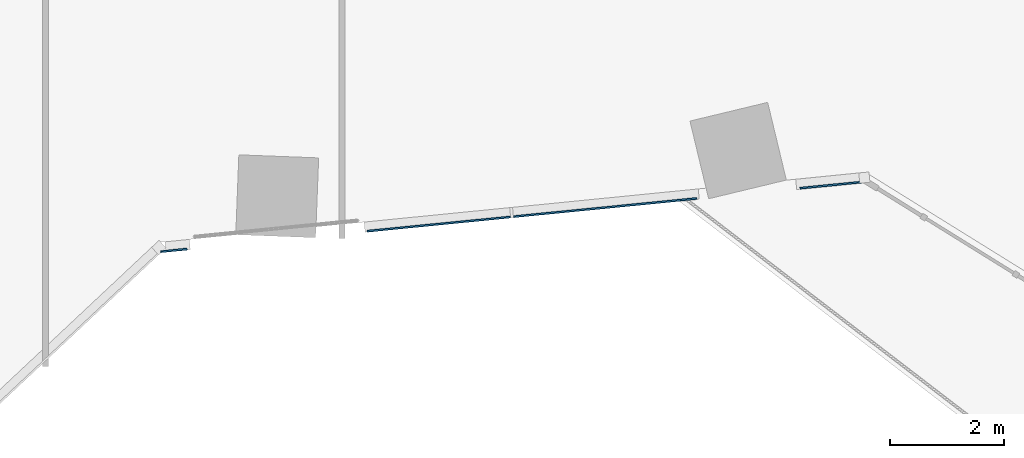
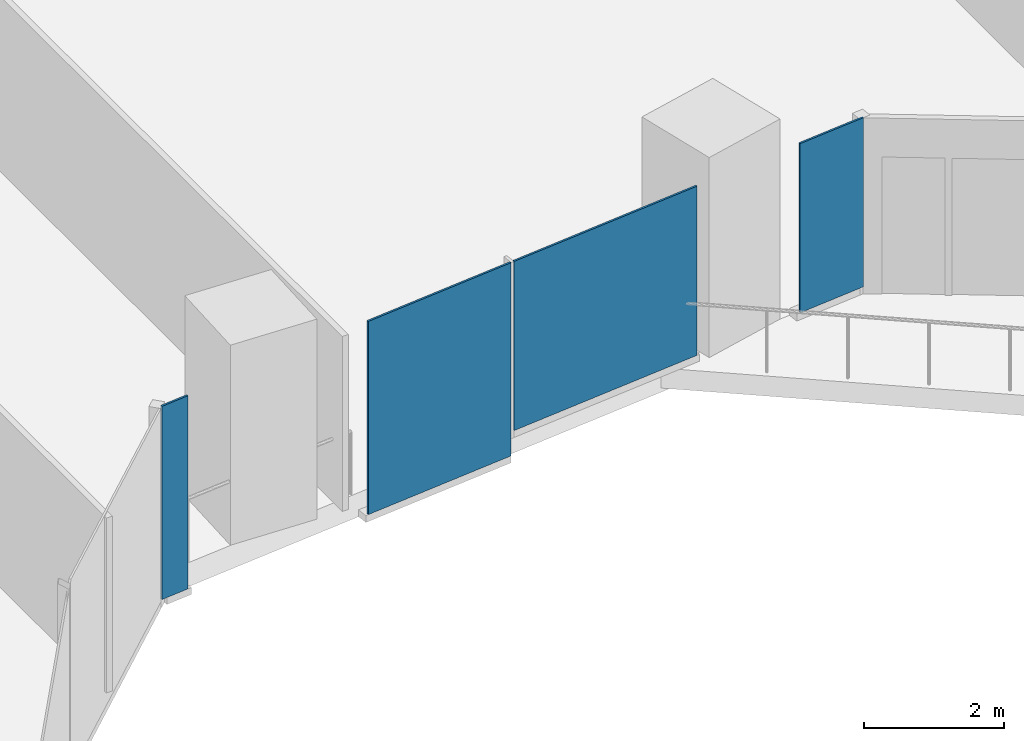
# One storey, part 17 of 34: 4 plates, 1 element without a shape of its own.
"""IFC4 building model written with IfcOpenShell, lengths in metres."""

from ifc_helpers import new_model, si_unit, direction, frame, origin, origin_2d, place, context, subcontext, project, spatial, rectangle, extrude, material, layer, layer_set, type_object, element, aggregate, save


model = new_model("IFC4")

# Units and contexts
model_context = context("Model", 3, precision=1e-05, world=origin(), true_north=direction((0.0, 1.0)))
body_context = subcontext(model_context, "Body", "Model", "MODEL_VIEW")
ifc_project = project(units=[si_unit("LENGTHUNIT", "METRE"), si_unit("AREAUNIT", "SQUARE_METRE"), si_unit("VOLUMEUNIT", "CUBIC_METRE"), si_unit("PLANEANGLEUNIT", "RADIAN"), si_unit("MASSUNIT", "GRAM", prefix="KILO")], contexts=[model_context])

# Site, building, storey
site_placement = place(None, origin())
site = spatial("IfcSite", under=ifc_project, at=site_placement, CompositionType="ELEMENT")
building_placement = place(site_placement, origin())
building = spatial("IfcBuilding", under=site, at=building_placement, Name="Orlundy Tower", CompositionType="ELEMENT")
storey_placement = place(building_placement, frame((0.0, 0.0, 37.300048828125)))
storey = spatial("IfcBuildingStorey", under=building, at=storey_placement, Name="L07", CompositionType="ELEMENT", Elevation=37.300048828125)

# Curtain wall, plates
ifc_material_1 = material(Name="Aluminium bronze anodised", Category="aluminium")
curtain_wall_type = type_object("IfcCurtainWallType", Name="CW1 wall", PredefinedType="NOTDEFINED", material=ifc_material_1)
curtain_wall_placement = place(storey_placement, origin())
curtain_wall = element("IfcCurtainWall", 1, at=curtain_wall_placement, inside=storey, type_object=curtain_wall_type, Name="CW1 run 017", PredefinedType="NOTDEFINED")
ifc_material_2 = material(Name="Tinted glass", Category="glass")
ifc_layer = layer(ifc_material_2, 0.031982421875)
ifc_layer_set = layer_set([ifc_layer], Name="CW1 glass panel 32")
plate_type = type_object("IfcPlateType", Name="CW1 glass panel 32", PredefinedType="CURTAIN_PANEL", material=ifc_layer_set)
plate_1_placement = place(storey_placement, frame((8.5810546875, -29.460693359375, 0.119873046875), z_axis=(0.0, 0.0, 1.0), x_axis=(-0.995112236774, -0.098750373279, 0.0)))
plate_1 = element("IfcPlate", 2, at=plate_1_placement, type_object=plate_type, Name="CW1 panel", PredefinedType="CURTAIN_PANEL", context=body_context, shape_type="SweptSolid", body=[
    extrude(rectangle(XDim=1.11474609375, YDim=0.031982421875, at=origin_2d()), origin(), (0.0, 0.0, 1.0), 2.9599609375),
])
plate_2_placement = place(storey_placement, frame((4.61083984375, -29.854736328125, 0.119873046875), z_axis=(0.0, 0.0, 1.0), x_axis=(-0.995112236774, -0.098750373279, 0.0)))
plate_2 = element("IfcPlate", 3, at=plate_2_placement, type_object=plate_type, Name="CW1 panel", PredefinedType="CURTAIN_PANEL", context=body_context, shape_type="SweptSolid", body=[
    extrude(rectangle(XDim=3.23046875, YDim=0.031982421875, at=origin_2d()), origin(), (0.0, 0.0, 1.0), 2.9599609375),
])
plate_3_placement = place(storey_placement, frame((1.699462890625, -30.1435546875, -0.300048828125), z_axis=(0.0, 0.0, 1.0), x_axis=(-0.995112236774, -0.098750373279, 0.0)))
plate_3 = element("IfcPlate", 4, at=plate_3_placement, type_object=plate_type, Name="CW1 panel", PredefinedType="CURTAIN_PANEL", context=body_context, shape_type="SweptSolid", body=[
    extrude(rectangle(XDim=2.521240234375, YDim=0.031982421875, at=origin_2d()), origin(), (0.0, 0.0, 1.0), 3.3798828125),
])
plate_4_placement = place(storey_placement, frame((-2.94775390625, -30.604736328125, -0.300048828125), z_axis=(0.0, 0.0, 1.0), x_axis=(-0.995112236774, -0.098750373279, 0.0)))
plate_4 = element("IfcPlate", 5, at=plate_4_placement, type_object=plate_type, Name="CW1 panel", PredefinedType="CURTAIN_PANEL", context=body_context, shape_type="SweptSolid", body=[
    extrude(rectangle(XDim=0.4638671875, YDim=0.031982421875, at=origin_2d()), origin(), (0.0, 0.0, 1.0), 3.3798828125),
])
aggregate(curtain_wall, [plate_1, plate_2, plate_3, plate_4])

save(model, "model.ifc")
